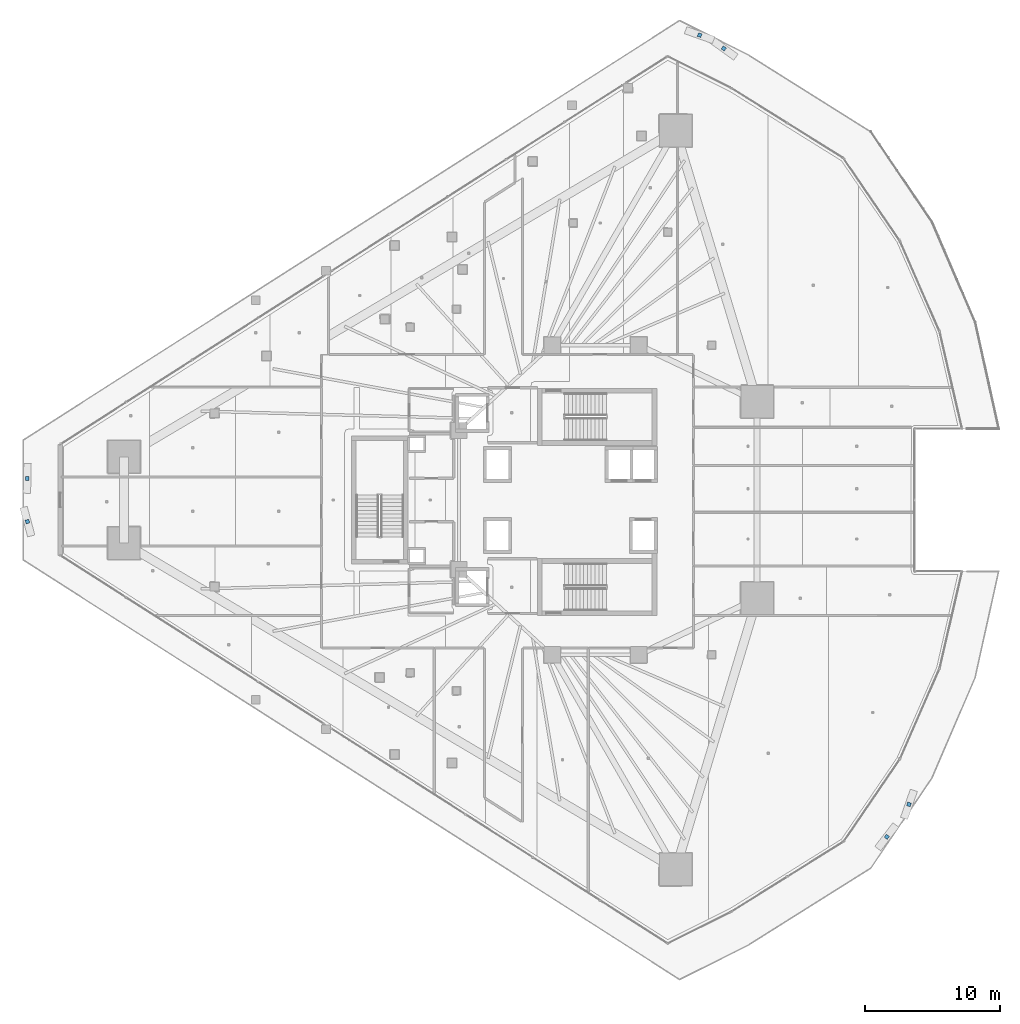
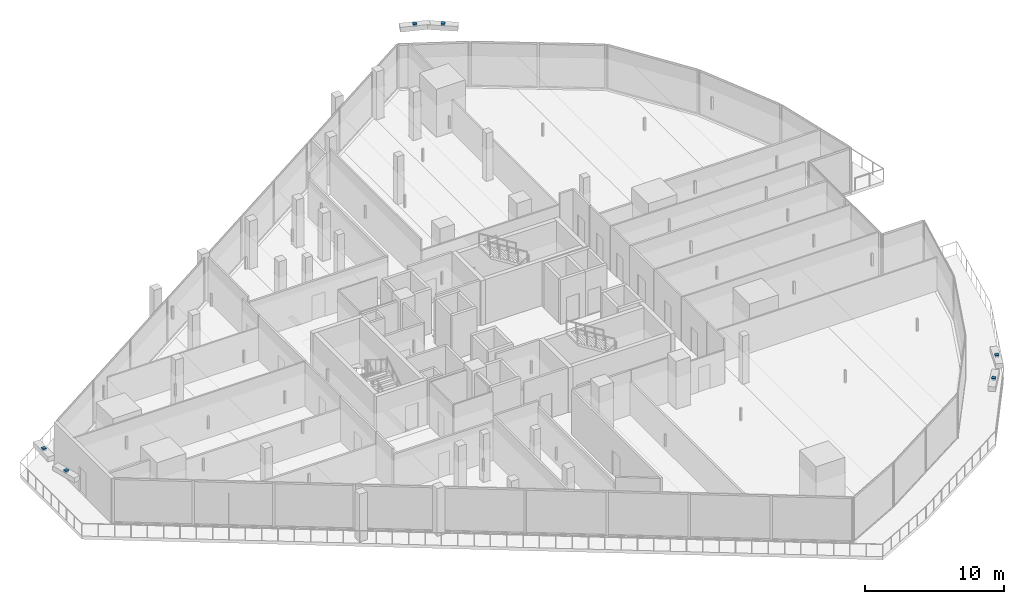
# One storey, part 35 of 44: 6 discrete accessories.
"""IFC4 building model written with IfcOpenShell, lengths in metres."""

from ifc_helpers import new_model, si_unit, direction, frame, origin, origin_2d, place, context, subcontext, project, spatial, rectangle, extrude, material, type_object, element, save


model = new_model("IFC4")

# Units and contexts
model_context = context("Model", 3, precision=1e-05, world=origin(), true_north=direction((0.0, 1.0)))
body_context = subcontext(model_context, "Body", "Model", "MODEL_VIEW")
ifc_project = project(units=[si_unit("LENGTHUNIT", "METRE"), si_unit("AREAUNIT", "SQUARE_METRE"), si_unit("VOLUMEUNIT", "CUBIC_METRE"), si_unit("PLANEANGLEUNIT", "RADIAN"), si_unit("MASSUNIT", "GRAM", prefix="KILO")], contexts=[model_context])

# Site, building, storey
site_placement = place(None, origin())
site = spatial("IfcSite", under=ifc_project, at=site_placement, CompositionType="ELEMENT")
building_placement = place(site_placement, origin())
building = spatial("IfcBuilding", under=site, at=building_placement, Name="Qorvath Tower", CompositionType="ELEMENT")
storey_placement = place(building_placement, frame((0.0, 0.0, 57.60009765625)))
storey = spatial("IfcBuildingStorey", under=building, at=storey_placement, Name="L12", CompositionType="ELEMENT", Elevation=57.60009765625)

# Discrete accessories
ifc_material = material(Name="Galvanised steel bracket", Category="steel")
discrete_accessory_type = type_object("IfcDiscreteAccessoryType", Name="DA-BRACKET", PredefinedType="BRACKET", material=ifc_material)
for number, where, z_axis, x_axis, name in (
    (1, (-62.44189453125, 1.59716796875, 3.77978515625), (0.0, 0.0, 1.0), (-0.021581065976, -0.999767101675, 0.0), "Louvre Wave Support Bracket L12-01"),
    (2, (-62.42822265625, -1.59716796875, 3.77978515625), (0.0, 0.0, 1.0), (0.256385532884, -0.966574600601, 0.0), "Louvre Wave Support Bracket L12-02"),
    (3, (1.161376953125, -24.921142578125, 3.77978515625), (0.0, 0.0, 1.0), (0.608534319376, 0.793527556006, 0.0), "Louvre Wave Support Bracket L12-03"),
    (4, (2.7998046875, -22.52197265625, 3.77978515625), (0.0, 0.0, 1.0), (0.330884996986, 0.943671086115, 0.0), "Louvre Wave Support Bracket L12-04"),
    (5, (-10.902099609375, 33.406982421875, 3.77978515625), (0.0, 0.0, 1.0), (-0.811718755579, 0.584048509835, 0.0), "Louvre Wave Support Bracket L12-05"),
    (6, (-12.689208984375, 34.396728515625, 3.77978515625), (0.0, 0.0, 1.0), (-0.942386619481, 0.334525723111, 0.0), "Louvre Wave Support Bracket L12-06"),
):
    element("IfcDiscreteAccessory", number, at=place(storey_placement, frame(where, z_axis=z_axis, x_axis=x_axis)), inside=storey, type_object=discrete_accessory_type, Name=name, PredefinedType="NOTDEFINED", context=body_context, shape_type="SweptSolid", body=[
        extrude(rectangle(XDim=0.280029296875, YDim=0.280029296875, at=origin_2d()), origin(), (0.0, 0.0, 1.0), 0.199951171875),
    ])

save(model, "model.ifc")
